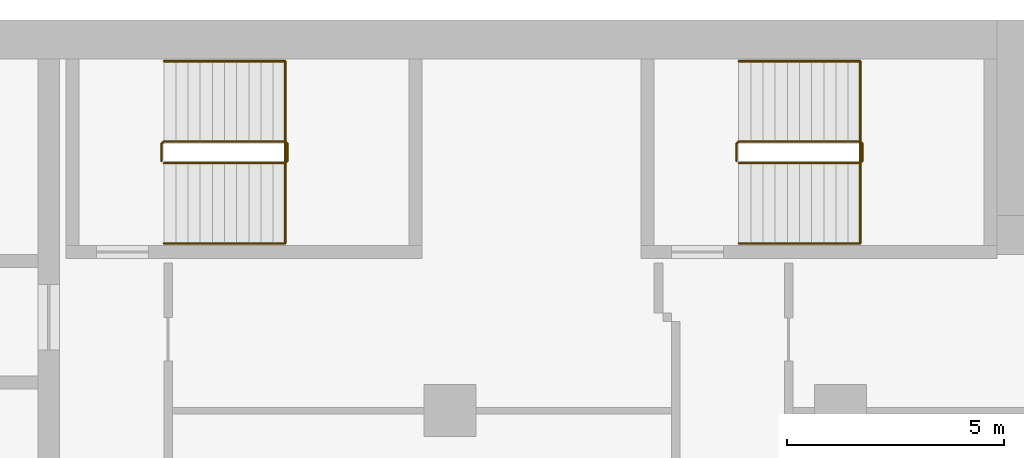
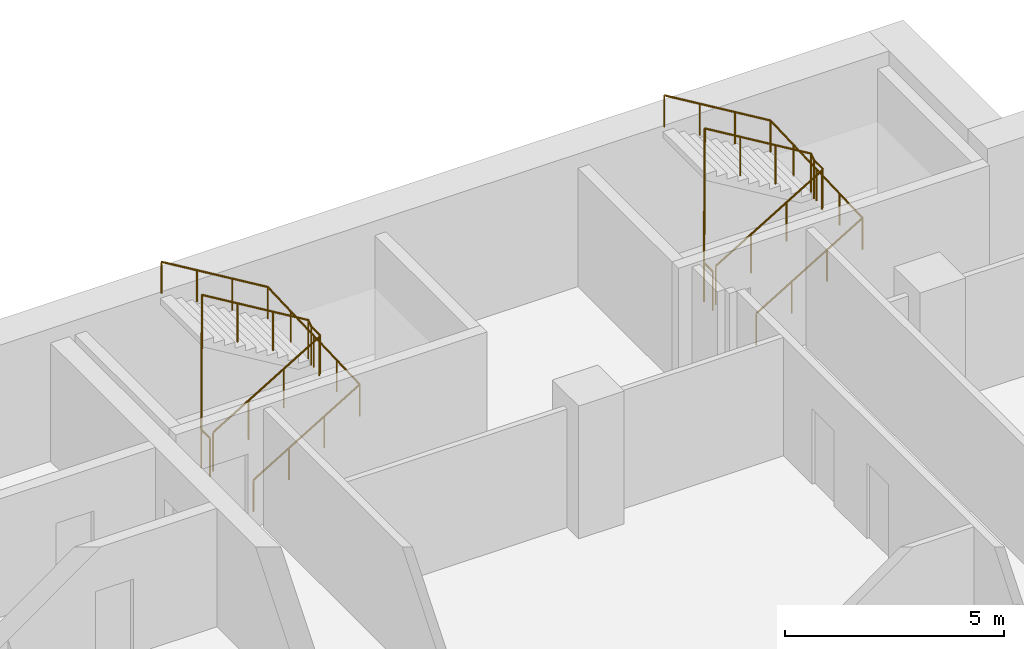
# One storey, part 23 of 23: 4 railings.
"""IFC4 building model written with IfcOpenShell, lengths in metres."""

from ifc_helpers import new_model, si_unit, direction, frame, origin, origin_2d, place, context, subcontext, project, spatial, circle, extrude, material, type_object, element, save


model = new_model("IFC4")

# Units and contexts
model_context = context("Model", 3, precision=1e-05, world=origin(), true_north=direction((0.0, 1.0)))
body_context = subcontext(model_context, "Body", "Model", "MODEL_VIEW")
ifc_project = project(units=[si_unit("LENGTHUNIT", "METRE"), si_unit("AREAUNIT", "SQUARE_METRE"), si_unit("VOLUMEUNIT", "CUBIC_METRE"), si_unit("PLANEANGLEUNIT", "RADIAN"), si_unit("MASSUNIT", "GRAM", prefix="KILO")], contexts=[model_context])

# Site, building, storey
site_placement = place(None, origin())
site = spatial("IfcSite", under=ifc_project, at=site_placement, CompositionType="ELEMENT")
building_placement = place(site_placement, origin())
building = spatial("IfcBuilding", under=site, at=building_placement, Name="Hunhe Ridgeline Campus", CompositionType="ELEMENT")
storey_placement = place(building_placement, frame((0.0, 0.0, 148.60009765625)))
storey = spatial("IfcBuildingStorey", under=building, at=storey_placement, Name="L37", CompositionType="ELEMENT", Elevation=148.60009765625)

# Railings
ifc_material_1 = material(Name="Stainless steel balustrade", Category="steel")
railing_type_1 = type_object("IfcRailingType", Name="Stair guard 1100 stainless", PredefinedType="GUARDRAIL", material=ifc_material_1)
railing_1_placement = place(storey_placement, frame((38.39990234375, 95.699951171875, 0.16796875)))
element("IfcRailing", 1, at=railing_1_placement, inside=storey, type_object=railing_type_1, Name="L37 stair E1 guard", PredefinedType="GUARDRAIL", context=body_context, shape_type="SweptSolid", body=[
    extrude(circle(Radius=0.02392578125, at=origin_2d()), frame((0.0, 0.0, 1.076171875), z_axis=(0.857242210791, 0.0, 0.514913383045), x_axis=(0.0, 1.0, 0.0)), (0.0, 0.0, 1.0), 3.266357421875),
    extrude(circle(Radius=0.02392578125, at=origin_2d()), frame((2.800048828125, 0.0, 2.7578125), z_axis=(0.707106781187, 0.707106781187, 0.0), x_axis=(-0.707106781187, 0.707106781187, 0.0)), (0.0, 0.0, 1.0), 0.07080078125),
    extrude(circle(Radius=0.02392578125, at=origin_2d()), frame((2.85009765625, 0.050048828125, 2.7578125), z_axis=(0.0, 1.0, 0.0), x_axis=(-1.0, 0.0, 0.0)), (0.0, 0.0, 1.0), 0.39990234375),
    extrude(circle(Radius=0.02392578125, at=origin_2d()), frame((2.85009765625, 0.449951171875, 2.7578125), z_axis=(-0.274243871929, 0.274243871929, 0.92172696468), x_axis=(-0.707106781187, -0.707106781187, 0.0)), (0.0, 0.0, 1.0), 0.1826171875),
    extrude(circle(Radius=0.02392578125, at=origin_2d()), frame((2.800048828125, 0.5, 2.92626953125), z_axis=(-0.857242210791, 0.0, 0.514913383045), x_axis=(0.0, -1.0, 0.0)), (0.0, 0.0, 1.0), 3.266357421875),
    extrude(circle(Radius=0.02392578125, at=origin_2d()), frame((0.0, 0.5, 4.60791015625), z_axis=(-0.013458453615, -0.013524426427, -0.999817963389), x_axis=(0.708833529934, -0.705375805398, 0.0)), (0.0, 0.0, 1.0), 3.70068359375),
    extrude(circle(Radius=0.02392578125, at=origin_2d()), frame((-0.0498046875, 0.449951171875, 0.908203125), z_axis=(0.0, -1.0, 0.0), x_axis=(1.0, 0.0, 0.0)), (0.0, 0.0, 1.0), 0.39990234375),
    extrude(circle(Radius=0.02099609375, at=origin_2d()), origin(), (0.0, 0.0, 1.0), 1.052001953125),
    extrude(circle(Radius=0.02099609375, at=origin_2d()), frame((0.933349609375, 0.0, 0.560546875)), (0.0, 0.0, 1.0), 1.052001953125),
    extrude(circle(Radius=0.02099609375, at=origin_2d()), frame((1.86669921875, 0.0, 1.121337890625)), (0.0, 0.0, 1.0), 1.052001953125),
    extrude(circle(Radius=0.02099609375, at=origin_2d()), frame((2.800048828125, 0.0, 1.681884765625)), (0.0, 0.0, 1.0), 1.052001953125),
    extrude(circle(Radius=0.02099609375, at=origin_2d()), frame((2.85009765625, 0.050048828125, 1.681884765625)), (0.0, 0.0, 1.0), 1.052001953125),
    extrude(circle(Radius=0.02099609375, at=origin_2d()), frame((2.85009765625, 0.449951171875, 1.681884765625)), (0.0, 0.0, 1.0), 1.052001953125),
    extrude(circle(Radius=0.02099609375, at=origin_2d()), frame((2.800048828125, 0.5, 1.85009765625)), (0.0, 0.0, 1.0), 1.052001953125),
    extrude(circle(Radius=0.02099609375, at=origin_2d()), frame((1.86669921875, 0.5, 2.41064453125)), (0.0, 0.0, 1.0), 1.052001953125),
    extrude(circle(Radius=0.02099609375, at=origin_2d()), frame((0.933349609375, 0.5, 2.971435546875)), (0.0, 0.0, 1.0), 1.052001953125),
    extrude(circle(Radius=0.02099609375, at=origin_2d()), frame((0.0, 0.5, 3.531982421875)), (0.0, 0.0, 1.0), 1.052001953125),
    extrude(circle(Radius=0.02099609375, at=origin_2d()), frame((-0.012451171875, 0.487548828125, 2.60693359375)), (0.0, 0.0, 1.0), 1.052001953125),
    extrude(circle(Radius=0.02099609375, at=origin_2d()), frame((-0.02490234375, 0.47509765625, 1.68212890625)), (0.0, 0.0, 1.0), 1.052001953125),
    extrude(circle(Radius=0.02099609375, at=origin_2d()), frame((-0.037353515625, 0.46240234375, 0.757080078125)), (0.0, 0.0, 1.0), 1.052001953125),
    extrude(circle(Radius=0.02099609375, at=origin_2d()), frame((-0.0498046875, 0.449951171875, -0.16796875)), (0.0, 0.0, 1.0), 1.052001953125),
    extrude(circle(Radius=0.02099609375, at=origin_2d()), frame((-0.0498046875, 0.050048828125, -0.16796875)), (0.0, 0.0, 1.0), 1.052001953125),
])
railing_2_placement = place(storey_placement, frame((51.64990234375, 95.699951171875, 0.16796875)))
element("IfcRailing", 2, at=railing_2_placement, inside=storey, type_object=railing_type_1, Name="L37 stair E2 guard", PredefinedType="GUARDRAIL", context=body_context, shape_type="SweptSolid", body=[
    extrude(circle(Radius=0.02392578125, at=origin_2d()), frame((0.0, 0.0, 1.076171875), z_axis=(0.857242210791, 0.0, 0.514913383045), x_axis=(0.0, 1.0, 0.0)), (0.0, 0.0, 1.0), 3.266357421875),
    extrude(circle(Radius=0.02392578125, at=origin_2d()), frame((2.800048828125, 0.0, 2.7578125), z_axis=(0.707106781187, 0.707106781187, 0.0), x_axis=(-0.707106781187, 0.707106781187, 0.0)), (0.0, 0.0, 1.0), 0.07080078125),
    extrude(circle(Radius=0.02392578125, at=origin_2d()), frame((2.85009765625, 0.050048828125, 2.7578125), z_axis=(0.0, 1.0, 0.0), x_axis=(-1.0, 0.0, 0.0)), (0.0, 0.0, 1.0), 0.39990234375),
    extrude(circle(Radius=0.02392578125, at=origin_2d()), frame((2.85009765625, 0.449951171875, 2.7578125), z_axis=(-0.274243871929, 0.274243871929, 0.92172696468), x_axis=(-0.707106781187, -0.707106781187, 0.0)), (0.0, 0.0, 1.0), 0.1826171875),
    extrude(circle(Radius=0.02392578125, at=origin_2d()), frame((2.800048828125, 0.5, 2.92626953125), z_axis=(-0.857242210791, 0.0, 0.514913383045), x_axis=(0.0, -1.0, 0.0)), (0.0, 0.0, 1.0), 3.266357421875),
    extrude(circle(Radius=0.02392578125, at=origin_2d()), frame((0.0, 0.5, 4.60791015625), z_axis=(-0.013458453615, -0.013524426427, -0.999817963389), x_axis=(0.708833529934, -0.705375805398, 0.0)), (0.0, 0.0, 1.0), 3.70068359375),
    extrude(circle(Radius=0.02392578125, at=origin_2d()), frame((-0.0498046875, 0.449951171875, 0.908203125), z_axis=(0.0, -1.0, 0.0), x_axis=(1.0, 0.0, 0.0)), (0.0, 0.0, 1.0), 0.39990234375),
    extrude(circle(Radius=0.02099609375, at=origin_2d()), origin(), (0.0, 0.0, 1.0), 1.052001953125),
    extrude(circle(Radius=0.02099609375, at=origin_2d()), frame((0.933349609375, 0.0, 0.560546875)), (0.0, 0.0, 1.0), 1.052001953125),
    extrude(circle(Radius=0.02099609375, at=origin_2d()), frame((1.86669921875, 0.0, 1.121337890625)), (0.0, 0.0, 1.0), 1.052001953125),
    extrude(circle(Radius=0.02099609375, at=origin_2d()), frame((2.800048828125, 0.0, 1.681884765625)), (0.0, 0.0, 1.0), 1.052001953125),
    extrude(circle(Radius=0.02099609375, at=origin_2d()), frame((2.85009765625, 0.050048828125, 1.681884765625)), (0.0, 0.0, 1.0), 1.052001953125),
    extrude(circle(Radius=0.02099609375, at=origin_2d()), frame((2.85009765625, 0.449951171875, 1.681884765625)), (0.0, 0.0, 1.0), 1.052001953125),
    extrude(circle(Radius=0.02099609375, at=origin_2d()), frame((2.800048828125, 0.5, 1.85009765625)), (0.0, 0.0, 1.0), 1.052001953125),
    extrude(circle(Radius=0.02099609375, at=origin_2d()), frame((1.86669921875, 0.5, 2.41064453125)), (0.0, 0.0, 1.0), 1.052001953125),
    extrude(circle(Radius=0.02099609375, at=origin_2d()), frame((0.933349609375, 0.5, 2.971435546875)), (0.0, 0.0, 1.0), 1.052001953125),
    extrude(circle(Radius=0.02099609375, at=origin_2d()), frame((0.0, 0.5, 3.531982421875)), (0.0, 0.0, 1.0), 1.052001953125),
    extrude(circle(Radius=0.02099609375, at=origin_2d()), frame((-0.012451171875, 0.487548828125, 2.60693359375)), (0.0, 0.0, 1.0), 1.052001953125),
    extrude(circle(Radius=0.02099609375, at=origin_2d()), frame((-0.02490234375, 0.47509765625, 1.68212890625)), (0.0, 0.0, 1.0), 1.052001953125),
    extrude(circle(Radius=0.02099609375, at=origin_2d()), frame((-0.037353515625, 0.46240234375, 0.757080078125)), (0.0, 0.0, 1.0), 1.052001953125),
    extrude(circle(Radius=0.02099609375, at=origin_2d()), frame((-0.0498046875, 0.449951171875, -0.16796875)), (0.0, 0.0, 1.0), 1.052001953125),
    extrude(circle(Radius=0.02099609375, at=origin_2d()), frame((-0.0498046875, 0.050048828125, -0.16796875)), (0.0, 0.0, 1.0), 1.052001953125),
])
ifc_material_2 = material(Name="Stainless steel handrail", Category="steel")
railing_type_2 = type_object("IfcRailingType", Name="Stair handrail 900 stainless", PredefinedType="HANDRAIL", material=ifc_material_2)
railing_3_placement = place(storey_placement, frame((38.39990234375, 93.85009765625, 0.16796875)))
element("IfcRailing", 3, at=railing_3_placement, inside=storey, type_object=railing_type_2, Name="L37 stair E1 handrail", PredefinedType="HANDRAIL", context=body_context, shape_type="SweptSolid", body=[
    extrude(circle(Radius=0.02392578125, at=origin_2d()), frame((0.0, 0.0, 0.8759765625), z_axis=(0.857242210791, 0.0, 0.514913383045), x_axis=(0.0, 1.0, 0.0)), (0.0, 0.0, 1.0), 3.266357421875),
    extrude(circle(Radius=0.02392578125, at=origin_2d()), frame((2.800048828125, 0.0, 2.5576171875), z_axis=(0.0, 0.999198916169, 0.040019069537), x_axis=(-1.0, 0.0, 0.0)), (0.0, 0.0, 1.0), 4.203369140625),
    extrude(circle(Radius=0.02392578125, at=origin_2d()), frame((2.800048828125, 4.199951171875, 2.72607421875), z_axis=(-0.857242210791, 0.0, 0.514913383045), x_axis=(0.0, -1.0, 0.0)), (0.0, 0.0, 1.0), 3.266357421875),
    extrude(circle(Radius=0.02099609375, at=origin_2d()), origin(), (0.0, 0.0, 1.0), 0.851806640625),
    extrude(circle(Radius=0.02099609375, at=origin_2d()), frame((0.933349609375, 0.0, 0.560546875)), (0.0, 0.0, 1.0), 0.851806640625),
    extrude(circle(Radius=0.02099609375, at=origin_2d()), frame((1.86669921875, 0.0, 1.121337890625)), (0.0, 0.0, 1.0), 0.851806640625),
    extrude(circle(Radius=0.02099609375, at=origin_2d()), frame((2.800048828125, 0.0, 1.681884765625)), (0.0, 0.0, 1.0), 0.851806640625),
    extrude(circle(Radius=0.02099609375, at=origin_2d()), frame((2.800048828125, 1.050048828125, 1.723876953125)), (0.0, 0.0, 1.0), 0.851806640625),
    extrude(circle(Radius=0.02099609375, at=origin_2d()), frame((2.800048828125, 2.10009765625, 1.76611328125)), (0.0, 0.0, 1.0), 0.851806640625),
    extrude(circle(Radius=0.02099609375, at=origin_2d()), frame((2.800048828125, 3.14990234375, 1.80810546875)), (0.0, 0.0, 1.0), 0.851806640625),
    extrude(circle(Radius=0.02099609375, at=origin_2d()), frame((2.800048828125, 4.199951171875, 1.85009765625)), (0.0, 0.0, 1.0), 0.851806640625),
    extrude(circle(Radius=0.02099609375, at=origin_2d()), frame((1.86669921875, 4.199951171875, 2.41064453125)), (0.0, 0.0, 1.0), 0.851806640625),
    extrude(circle(Radius=0.02099609375, at=origin_2d()), frame((0.933349609375, 4.199951171875, 2.971435546875)), (0.0, 0.0, 1.0), 0.851806640625),
    extrude(circle(Radius=0.02099609375, at=origin_2d()), frame((0.0, 4.199951171875, 3.531982421875)), (0.0, 0.0, 1.0), 0.851806640625),
])
railing_4_placement = place(storey_placement, frame((51.64990234375, 93.85009765625, 0.16796875)))
element("IfcRailing", 4, at=railing_4_placement, inside=storey, type_object=railing_type_2, Name="L37 stair E2 handrail", PredefinedType="HANDRAIL", context=body_context, shape_type="SweptSolid", body=[
    extrude(circle(Radius=0.02392578125, at=origin_2d()), frame((0.0, 0.0, 0.8759765625), z_axis=(0.857242210791, 0.0, 0.514913383045), x_axis=(0.0, 1.0, 0.0)), (0.0, 0.0, 1.0), 3.266357421875),
    extrude(circle(Radius=0.02392578125, at=origin_2d()), frame((2.800048828125, 0.0, 2.5576171875), z_axis=(0.0, 0.999198916169, 0.040019069537), x_axis=(-1.0, 0.0, 0.0)), (0.0, 0.0, 1.0), 4.203369140625),
    extrude(circle(Radius=0.02392578125, at=origin_2d()), frame((2.800048828125, 4.199951171875, 2.72607421875), z_axis=(-0.857242210791, 0.0, 0.514913383045), x_axis=(0.0, -1.0, 0.0)), (0.0, 0.0, 1.0), 3.266357421875),
    extrude(circle(Radius=0.02099609375, at=origin_2d()), origin(), (0.0, 0.0, 1.0), 0.851806640625),
    extrude(circle(Radius=0.02099609375, at=origin_2d()), frame((0.933349609375, 0.0, 0.560546875)), (0.0, 0.0, 1.0), 0.851806640625),
    extrude(circle(Radius=0.02099609375, at=origin_2d()), frame((1.86669921875, 0.0, 1.121337890625)), (0.0, 0.0, 1.0), 0.851806640625),
    extrude(circle(Radius=0.02099609375, at=origin_2d()), frame((2.800048828125, 0.0, 1.681884765625)), (0.0, 0.0, 1.0), 0.851806640625),
    extrude(circle(Radius=0.02099609375, at=origin_2d()), frame((2.800048828125, 1.050048828125, 1.723876953125)), (0.0, 0.0, 1.0), 0.851806640625),
    extrude(circle(Radius=0.02099609375, at=origin_2d()), frame((2.800048828125, 2.10009765625, 1.76611328125)), (0.0, 0.0, 1.0), 0.851806640625),
    extrude(circle(Radius=0.02099609375, at=origin_2d()), frame((2.800048828125, 3.14990234375, 1.80810546875)), (0.0, 0.0, 1.0), 0.851806640625),
    extrude(circle(Radius=0.02099609375, at=origin_2d()), frame((2.800048828125, 4.199951171875, 1.85009765625)), (0.0, 0.0, 1.0), 0.851806640625),
    extrude(circle(Radius=0.02099609375, at=origin_2d()), frame((1.86669921875, 4.199951171875, 2.41064453125)), (0.0, 0.0, 1.0), 0.851806640625),
    extrude(circle(Radius=0.02099609375, at=origin_2d()), frame((0.933349609375, 4.199951171875, 2.971435546875)), (0.0, 0.0, 1.0), 0.851806640625),
    extrude(circle(Radius=0.02099609375, at=origin_2d()), frame((0.0, 4.199951171875, 3.531982421875)), (0.0, 0.0, 1.0), 0.851806640625),
])

save(model, "model.ifc")
